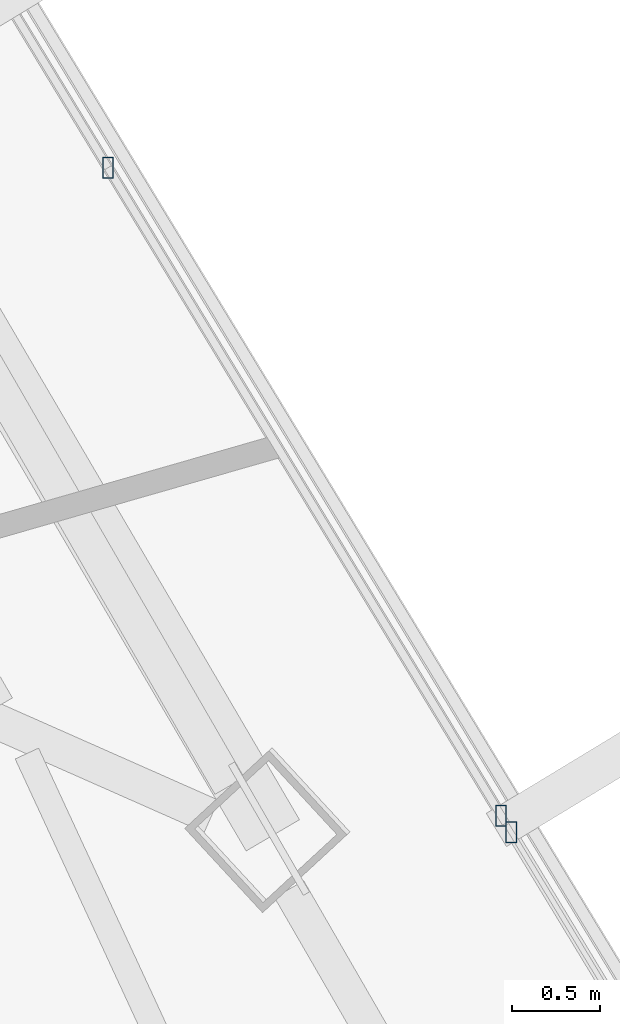
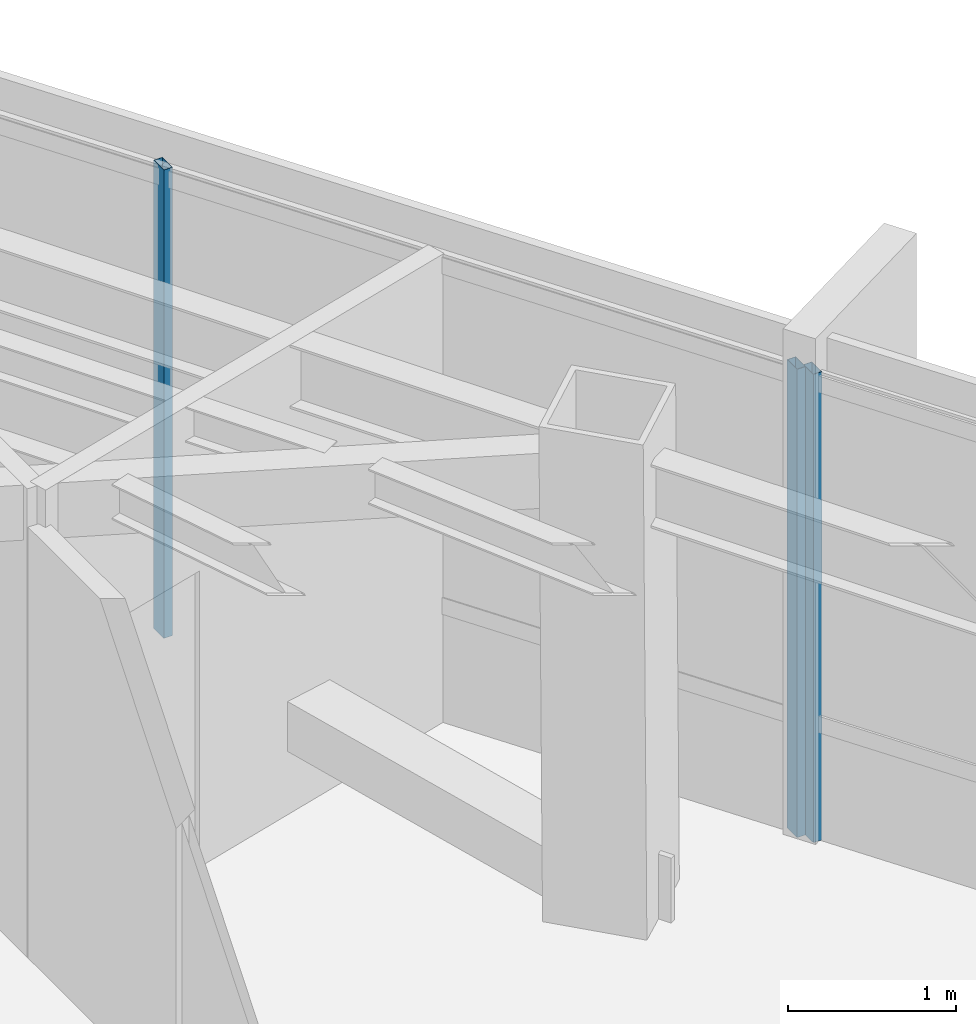
# One storey, part 26 of 42: 3 members, 2 elements without a shape of their own.
"""IFC4 building model written with IfcOpenShell, lengths in metres."""

from ifc_helpers import new_model, si_unit, direction, frame, origin, origin_2d, place, context, subcontext, project, spatial, hollow_rectangle, extrude, source, transform, mapped, material, material_profile, profile_set, type_object, type_shapes, element, aggregate, save


model = new_model("IFC4")

# Units and contexts
model_context = context("Model", 3, precision=1e-05, world=origin(), true_north=direction((0.0, 1.0)))
body_context = subcontext(model_context, "Body", "Model", "MODEL_VIEW")
ifc_project = project(units=[si_unit("LENGTHUNIT", "METRE"), si_unit("AREAUNIT", "SQUARE_METRE"), si_unit("VOLUMEUNIT", "CUBIC_METRE"), si_unit("PLANEANGLEUNIT", "RADIAN"), si_unit("MASSUNIT", "GRAM", prefix="KILO")], contexts=[model_context])

# Site, building, storey
site_placement = place(None, origin())
site = spatial("IfcSite", under=ifc_project, at=site_placement, CompositionType="ELEMENT")
building_placement = place(site_placement, origin())
building = spatial("IfcBuilding", under=site, at=building_placement, Name="Caelisora Broadcast Tower", CompositionType="ELEMENT")
storey_placement = place(building_placement, frame((0.0, 0.0, 244.449951171875)))
storey = spatial("IfcBuildingStorey", under=building, at=storey_placement, Name="L64", CompositionType="ELEMENT", Elevation=244.449951171875)

# Curtain wall, members
ifc_material_1 = material(Name="Unitised Aluminium Insulated Shadow-Box Spandrel Curtain Wall", Category="aluminium")
curtain_wall_type_1 = type_object("IfcCurtainWallType", Name="CW-SP3", PredefinedType="NOTDEFINED", material=ifc_material_1)
curtain_wall_1_placement = place(storey_placement, origin())
curtain_wall_1 = element("IfcCurtainWall", 1, at=curtain_wall_1_placement, inside=storey, type_object=curtain_wall_type_1, Name="L64 curtain wall CW-SP3", PredefinedType="NOTDEFINED")
ifc_material_2 = material(Name="Aluminium 6063-T6 Anodised Terracotta Bronze", Category="aluminium")
ifc_material_profile = material_profile(ifc_material_2, hollow_rectangle(XDim=0.06005859375, YDim=0.1201171875, WallThickness=0.0029296875, at=origin_2d()), Name="Aluminium 6063-T6 Anodised Terracotta Bronze")
ifc_profile_set = profile_set([ifc_material_profile], Name="Aluminium 6063-T6 Anodised Terracotta Bronze")
member_type = type_object("IfcMemberType", Name="CWM-04", PredefinedType="MULLION", material=ifc_profile_set)
shared_shape = source(origin(), body_context, "Body", "SweptSolid", [
    extrude(hollow_rectangle(XDim=0.06005859375, YDim=0.1201171875, WallThickness=0.0029296875, at=origin_2d()), origin(), (0.0, 0.0, 1.0), 3.400146484375),
])
type_shapes(member_type, [shared_shape])
member_1_placement = place(storey_placement, frame((52.92138671875, 30.132080078125, 0.0), z_axis=(0.0, 0.0, 1.0), x_axis=(1.0, 0.0, 0.0)))
member_1 = element("IfcMember", 2, at=member_1_placement, type_object=member_type, Name="L64-CW-B02 mullion #2", PredefinedType="MULLION", context=body_context, shape_type="MappedRepresentation", body=[
    mapped(shared_shape, transform((0.0, 0.0, 0.0), scale=1.0)),
])
member_2_placement = place(storey_placement, frame((55.14990234375, 26.458984375, 0.0), z_axis=(0.0, 0.0, 1.0), x_axis=(1.0, 0.0, 0.0)))
member_2 = element("IfcMember", 3, at=member_2_placement, type_object=member_type, Name="L64-CW-B02 mullion #3", PredefinedType="MULLION", context=body_context, shape_type="MappedRepresentation", body=[
    mapped(shared_shape, transform((0.0, 0.0, 0.0), scale=1.0)),
])
aggregate(curtain_wall_1, [member_1, member_2])

# Curtain wall, member
ifc_material_3 = material(Name="Unitised Aluminium and Low-E Glass Curtain Wall", Category="glass")
curtain_wall_type_2 = type_object("IfcCurtainWallType", Name="CW-Z5", PredefinedType="NOTDEFINED", material=ifc_material_3)
curtain_wall_2_placement = place(storey_placement, origin())
curtain_wall_2 = element("IfcCurtainWall", 4, at=curtain_wall_2_placement, inside=storey, type_object=curtain_wall_type_2, Name="L64 curtain wall CW-Z5", PredefinedType="NOTDEFINED")
member_3_placement = place(storey_placement, frame((55.20703125, 26.364990234375, 0.0), z_axis=(0.0, 0.0, 1.0), x_axis=(1.0, 0.0, 0.0)))
member_3 = element("IfcMember", 5, at=member_3_placement, type_object=member_type, Name="L64-CW-B03 mullion #0", PredefinedType="MULLION", context=body_context, shape_type="MappedRepresentation", body=[
    mapped(shared_shape, transform((0.0, 0.0, 0.0), scale=1.0)),
])
aggregate(curtain_wall_2, [member_3])

save(model, "model.ifc")
